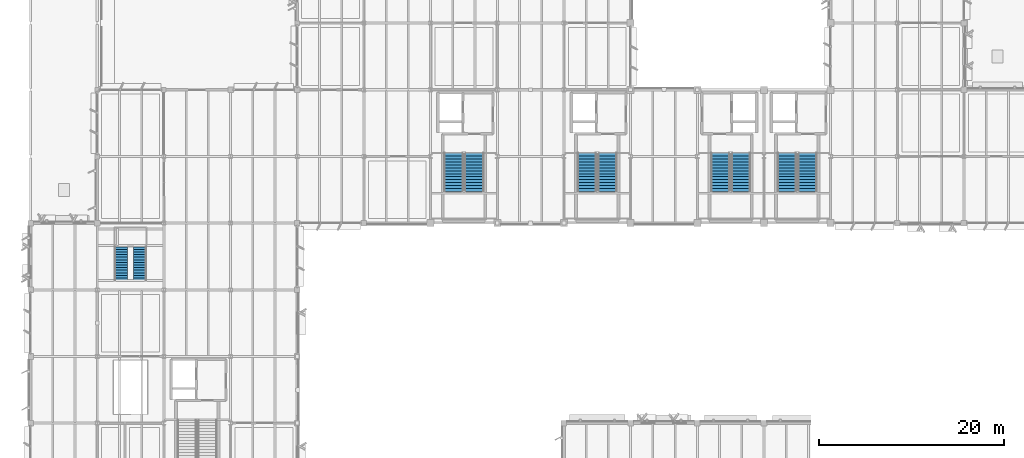
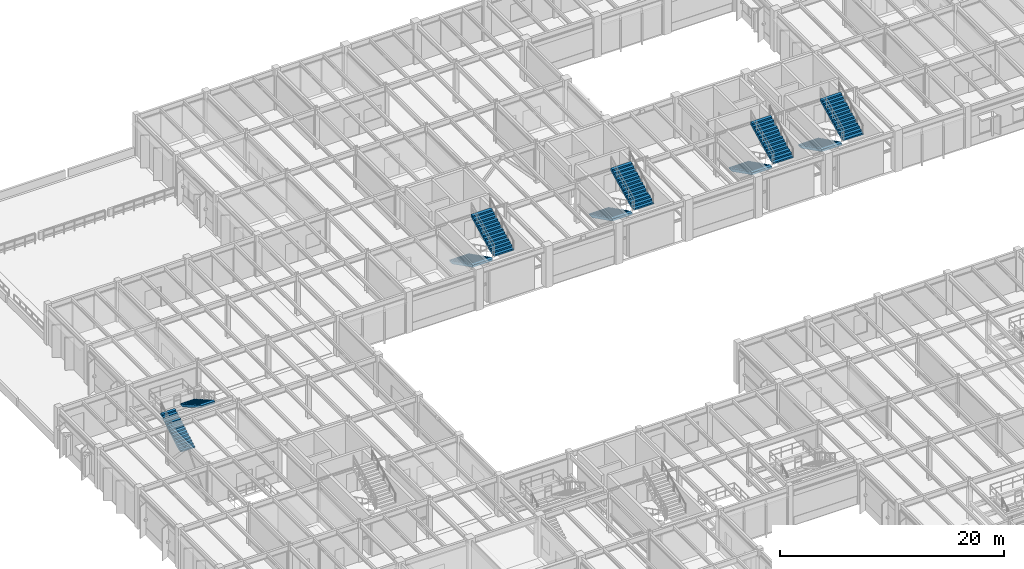
# One storey, part 44 of 92: 10 stair flights, 5 elements without a shape of their own.
"""IFC4 building model written with IfcOpenShell, lengths in metres."""

from ifc_helpers import new_model, si_unit, direction, frame, origin, place, context, subcontext, project, spatial, polyline, outline, extrude, material, type_object, element, aggregate, save


model = new_model("IFC4")

# Units and contexts
model_context = context("Model", 3, precision=1e-05, world=origin(), true_north=direction((0.0, 1.0)))
body_context = subcontext(model_context, "Body", "Model", "MODEL_VIEW")
ifc_project = project(units=[si_unit("LENGTHUNIT", "METRE"), si_unit("AREAUNIT", "SQUARE_METRE"), si_unit("VOLUMEUNIT", "CUBIC_METRE"), si_unit("PLANEANGLEUNIT", "RADIAN"), si_unit("MASSUNIT", "GRAM", prefix="KILO")], contexts=[model_context])

# Site, building, storey
site_placement = place(None, origin())
site = spatial("IfcSite", under=ifc_project, at=site_placement, CompositionType="ELEMENT")
building_placement = place(site_placement, origin())
building = spatial("IfcBuilding", under=site, at=building_placement, Name="Sillqori Civic Hall", CompositionType="ELEMENT")
storey_placement = place(building_placement, frame((0.0, 0.0, 5.39990234375)))
storey = spatial("IfcBuildingStorey", under=building, at=storey_placement, Name="L02", CompositionType="ELEMENT", Elevation=5.39990234375)

# Stair, stair flights
ifc_material_1 = material(Name="Concrete C35/45 (H35)", Category="concrete")
stair_type_1 = type_object("IfcStairType", Name="STR-CORE-05", PredefinedType="DOUBLE_RETURN_STAIR", material=ifc_material_1)
stair_1_placement = place(storey_placement, origin())
stair_1 = element("IfcStair", 1, at=stair_1_placement, inside=storey, type_object=stair_type_1, Name="L02 Core exit stair ST-05", PredefinedType="DOUBLE_RETURN_STAIR")
stair_flight_type_1 = type_object("IfcStairFlightType", Name="SFL-CORE-220", PredefinedType="STRAIGHT", material=ifc_material_1)
stair_flight_1_placement = place(storey_placement, frame((52.889892578125, 86.77001953125, 0.0), z_axis=(0.0, 0.0, 1.0), x_axis=(0.0, -1.0, 0.0)))
stair_flight_1 = element("IfcStairFlight", 2, at=stair_flight_1_placement, type_object=stair_flight_type_1, Name="ST-05 flight 1", NumberOfRisers=14, NumberOfTreads=13, PredefinedType="STRAIGHT", RiserHeight=0.160714286, TreadLength=0.32, context=body_context, shape_type="SweptSolid", body=[
    extrude(outline(polyline([(0.0, 0.0), (0.0, 0.16064453125), (0.320068359375, 0.16064453125), (0.320068359375, 0.321533203125), (0.639892578125, 0.321533203125), (0.639892578125, 0.482177734375), (0.9599609375, 0.482177734375), (0.9599609375, 0.642822265625), (1.280029296875, 0.642822265625), (1.280029296875, 0.803466796875), (1.60009765625, 0.803466796875), (1.60009765625, 0.96435546875), (1.919921875, 0.96435546875), (1.919921875, 1.125), (2.239990234375, 1.125), (2.239990234375, 1.28564453125), (2.56005859375, 1.28564453125), (2.56005859375, 1.446533203125), (2.8798828125, 1.446533203125), (2.8798828125, 1.607177734375), (3.199951171875, 1.607177734375), (3.199951171875, 1.767822265625), (3.52001953125, 1.767822265625), (3.52001953125, 1.928466796875), (3.840087890625, 1.928466796875), (3.840087890625, 2.08935546875), (4.159912109375, 2.08935546875), (4.159912109375, 2.25), (4.159912109375, 1.843017578125), (0.490234375, 0.0), (0.0, 0.0)])), frame((0.0, 1.030029296875, 0.0), z_axis=(0.0, -1.0, 0.0), x_axis=(1.0, 0.0, 0.0)), (0.0, 0.0, 1.0), 2.06005859375),
])
stair_flight_2_placement = place(storey_placement, frame((55.110107421875, 82.610107421875, 2.25), z_axis=(0.0, 0.0, 1.0), x_axis=(0.0, 1.0, 0.0)))
stair_flight_2 = element("IfcStairFlight", 3, at=stair_flight_2_placement, type_object=stair_flight_type_1, Name="ST-05 flight 2", NumberOfRisers=14, NumberOfTreads=13, PredefinedType="STRAIGHT", RiserHeight=0.160714286, TreadLength=0.32, context=body_context, shape_type="SweptSolid", body=[
    extrude(outline(polyline([(0.0, 0.0), (0.0, 0.16064453125), (0.320068359375, 0.16064453125), (0.320068359375, 0.321533203125), (0.639892578125, 0.321533203125), (0.639892578125, 0.482177734375), (0.9599609375, 0.482177734375), (0.9599609375, 0.642822265625), (1.280029296875, 0.642822265625), (1.280029296875, 0.803466796875), (1.60009765625, 0.803466796875), (1.60009765625, 0.96435546875), (1.919921875, 0.96435546875), (1.919921875, 1.125), (2.239990234375, 1.125), (2.239990234375, 1.28564453125), (2.56005859375, 1.28564453125), (2.56005859375, 1.446533203125), (2.8798828125, 1.446533203125), (2.8798828125, 1.607177734375), (3.199951171875, 1.607177734375), (3.199951171875, 1.767822265625), (3.52001953125, 1.767822265625), (3.52001953125, 1.928466796875), (3.840087890625, 1.928466796875), (3.840087890625, 2.08935546875), (4.159912109375, 2.08935546875), (4.159912109375, 2.25), (4.159912109375, 1.843017578125), (0.490234375, 0.0), (0.0, 0.0)])), frame((0.0, 1.030029296875, 0.0), z_axis=(0.0, -1.0, 0.0), x_axis=(1.0, 0.0, 0.0)), (0.0, 0.0, 1.0), 2.06005859375),
])
aggregate(stair_1, [stair_flight_1, stair_flight_2])

stair_type_2 = type_object("IfcStairType", Name="STR-CORE-06", PredefinedType="DOUBLE_RETURN_STAIR", material=ifc_material_1)
stair_2_placement = place(storey_placement, origin())
stair_2 = element("IfcStair", 4, at=stair_2_placement, inside=storey, type_object=stair_type_2, Name="L02 Core exit stair ST-06", PredefinedType="DOUBLE_RETURN_STAIR")
stair_flight_3_placement = place(storey_placement, frame((67.2900390625, 86.77001953125, 0.0), z_axis=(0.0, 0.0, 1.0), x_axis=(0.0, -1.0, 0.0)))
stair_flight_3 = element("IfcStairFlight", 5, at=stair_flight_3_placement, type_object=stair_flight_type_1, Name="ST-06 flight 1", NumberOfRisers=14, NumberOfTreads=13, PredefinedType="STRAIGHT", RiserHeight=0.160714286, TreadLength=0.32, context=body_context, shape_type="SweptSolid", body=[
    extrude(outline(polyline([(0.0, 0.0), (0.0, 0.16064453125), (0.320068359375, 0.16064453125), (0.320068359375, 0.321533203125), (0.639892578125, 0.321533203125), (0.639892578125, 0.482177734375), (0.9599609375, 0.482177734375), (0.9599609375, 0.642822265625), (1.280029296875, 0.642822265625), (1.280029296875, 0.803466796875), (1.60009765625, 0.803466796875), (1.60009765625, 0.96435546875), (1.919921875, 0.96435546875), (1.919921875, 1.125), (2.239990234375, 1.125), (2.239990234375, 1.28564453125), (2.56005859375, 1.28564453125), (2.56005859375, 1.446533203125), (2.8798828125, 1.446533203125), (2.8798828125, 1.607177734375), (3.199951171875, 1.607177734375), (3.199951171875, 1.767822265625), (3.52001953125, 1.767822265625), (3.52001953125, 1.928466796875), (3.840087890625, 1.928466796875), (3.840087890625, 2.08935546875), (4.159912109375, 2.08935546875), (4.159912109375, 2.25), (4.159912109375, 1.843017578125), (0.490234375, 0.0), (0.0, 0.0)])), frame((0.0, 1.030029296875, 0.0), z_axis=(0.0, -1.0, 0.0), x_axis=(1.0, 0.0, 0.0)), (0.0, 0.0, 1.0), 2.06005859375),
])
stair_flight_4_placement = place(storey_placement, frame((69.510009765625, 82.610107421875, 2.25), z_axis=(0.0, 0.0, 1.0), x_axis=(0.0, 1.0, 0.0)))
stair_flight_4 = element("IfcStairFlight", 6, at=stair_flight_4_placement, type_object=stair_flight_type_1, Name="ST-06 flight 2", NumberOfRisers=14, NumberOfTreads=13, PredefinedType="STRAIGHT", RiserHeight=0.160714286, TreadLength=0.32, context=body_context, shape_type="SweptSolid", body=[
    extrude(outline(polyline([(0.0, 0.0), (0.0, 0.16064453125), (0.320068359375, 0.16064453125), (0.320068359375, 0.321533203125), (0.639892578125, 0.321533203125), (0.639892578125, 0.482177734375), (0.9599609375, 0.482177734375), (0.9599609375, 0.642822265625), (1.280029296875, 0.642822265625), (1.280029296875, 0.803466796875), (1.60009765625, 0.803466796875), (1.60009765625, 0.96435546875), (1.919921875, 0.96435546875), (1.919921875, 1.125), (2.239990234375, 1.125), (2.239990234375, 1.28564453125), (2.56005859375, 1.28564453125), (2.56005859375, 1.446533203125), (2.8798828125, 1.446533203125), (2.8798828125, 1.607177734375), (3.199951171875, 1.607177734375), (3.199951171875, 1.767822265625), (3.52001953125, 1.767822265625), (3.52001953125, 1.928466796875), (3.840087890625, 1.928466796875), (3.840087890625, 2.08935546875), (4.159912109375, 2.08935546875), (4.159912109375, 2.25), (4.159912109375, 1.843017578125), (0.490234375, 0.0), (0.0, 0.0)])), frame((0.0, 1.030029296875, 0.0), z_axis=(0.0, -1.0, 0.0), x_axis=(1.0, 0.0, 0.0)), (0.0, 0.0, 1.0), 2.06005859375),
])
aggregate(stair_2, [stair_flight_3, stair_flight_4])

stair_type_3 = type_object("IfcStairType", Name="STR-CORE-07", PredefinedType="DOUBLE_RETURN_STAIR", material=ifc_material_1)
stair_3_placement = place(storey_placement, origin())
stair_3 = element("IfcStair", 7, at=stair_3_placement, inside=storey, type_object=stair_type_3, Name="L02 Core exit stair ST-07", PredefinedType="DOUBLE_RETURN_STAIR")
stair_flight_5_placement = place(storey_placement, frame((81.68994140625, 86.77001953125, 0.0), z_axis=(0.0, 0.0, 1.0), x_axis=(0.0, -1.0, 0.0)))
stair_flight_5 = element("IfcStairFlight", 8, at=stair_flight_5_placement, type_object=stair_flight_type_1, Name="ST-07 flight 1", NumberOfRisers=14, NumberOfTreads=13, PredefinedType="STRAIGHT", RiserHeight=0.160714286, TreadLength=0.32, context=body_context, shape_type="SweptSolid", body=[
    extrude(outline(polyline([(0.0, 0.0), (0.0, 0.16064453125), (0.320068359375, 0.16064453125), (0.320068359375, 0.321533203125), (0.639892578125, 0.321533203125), (0.639892578125, 0.482177734375), (0.9599609375, 0.482177734375), (0.9599609375, 0.642822265625), (1.280029296875, 0.642822265625), (1.280029296875, 0.803466796875), (1.60009765625, 0.803466796875), (1.60009765625, 0.96435546875), (1.919921875, 0.96435546875), (1.919921875, 1.125), (2.239990234375, 1.125), (2.239990234375, 1.28564453125), (2.56005859375, 1.28564453125), (2.56005859375, 1.446533203125), (2.8798828125, 1.446533203125), (2.8798828125, 1.607177734375), (3.199951171875, 1.607177734375), (3.199951171875, 1.767822265625), (3.52001953125, 1.767822265625), (3.52001953125, 1.928466796875), (3.840087890625, 1.928466796875), (3.840087890625, 2.08935546875), (4.159912109375, 2.08935546875), (4.159912109375, 2.25), (4.159912109375, 1.843017578125), (0.490234375, 0.0), (0.0, 0.0)])), frame((0.0, 1.030029296875, 0.0), z_axis=(0.0, -1.0, 0.0), x_axis=(1.0, 0.0, 0.0)), (0.0, 0.0, 1.0), 2.06005859375),
])
stair_flight_6_placement = place(storey_placement, frame((83.909912109375, 82.610107421875, 2.25), z_axis=(0.0, 0.0, 1.0), x_axis=(0.0, 1.0, 0.0)))
stair_flight_6 = element("IfcStairFlight", 9, at=stair_flight_6_placement, type_object=stair_flight_type_1, Name="ST-07 flight 2", NumberOfRisers=14, NumberOfTreads=13, PredefinedType="STRAIGHT", RiserHeight=0.160714286, TreadLength=0.32, context=body_context, shape_type="SweptSolid", body=[
    extrude(outline(polyline([(0.0, 0.0), (0.0, 0.16064453125), (0.320068359375, 0.16064453125), (0.320068359375, 0.321533203125), (0.639892578125, 0.321533203125), (0.639892578125, 0.482177734375), (0.9599609375, 0.482177734375), (0.9599609375, 0.642822265625), (1.280029296875, 0.642822265625), (1.280029296875, 0.803466796875), (1.60009765625, 0.803466796875), (1.60009765625, 0.96435546875), (1.919921875, 0.96435546875), (1.919921875, 1.125), (2.239990234375, 1.125), (2.239990234375, 1.28564453125), (2.56005859375, 1.28564453125), (2.56005859375, 1.446533203125), (2.8798828125, 1.446533203125), (2.8798828125, 1.607177734375), (3.199951171875, 1.607177734375), (3.199951171875, 1.767822265625), (3.52001953125, 1.767822265625), (3.52001953125, 1.928466796875), (3.840087890625, 1.928466796875), (3.840087890625, 2.08935546875), (4.159912109375, 2.08935546875), (4.159912109375, 2.25), (4.159912109375, 1.843017578125), (0.490234375, 0.0), (0.0, 0.0)])), frame((0.0, 1.030029296875, 0.0), z_axis=(0.0, -1.0, 0.0), x_axis=(1.0, 0.0, 0.0)), (0.0, 0.0, 1.0), 2.06005859375),
])
aggregate(stair_3, [stair_flight_5, stair_flight_6])

stair_type_4 = type_object("IfcStairType", Name="STR-CORE-08", PredefinedType="DOUBLE_RETURN_STAIR", material=ifc_material_1)
stair_4_placement = place(storey_placement, origin())
stair_4 = element("IfcStair", 10, at=stair_4_placement, inside=storey, type_object=stair_type_4, Name="L02 Core exit stair ST-08", PredefinedType="DOUBLE_RETURN_STAIR")
stair_flight_7_placement = place(storey_placement, frame((88.889892578125, 86.77001953125, 0.0), z_axis=(0.0, 0.0, 1.0), x_axis=(0.0, -1.0, 0.0)))
stair_flight_7 = element("IfcStairFlight", 11, at=stair_flight_7_placement, type_object=stair_flight_type_1, Name="ST-08 flight 1", NumberOfRisers=14, NumberOfTreads=13, PredefinedType="STRAIGHT", RiserHeight=0.160714286, TreadLength=0.32, context=body_context, shape_type="SweptSolid", body=[
    extrude(outline(polyline([(0.0, 0.0), (0.0, 0.16064453125), (0.320068359375, 0.16064453125), (0.320068359375, 0.321533203125), (0.639892578125, 0.321533203125), (0.639892578125, 0.482177734375), (0.9599609375, 0.482177734375), (0.9599609375, 0.642822265625), (1.280029296875, 0.642822265625), (1.280029296875, 0.803466796875), (1.60009765625, 0.803466796875), (1.60009765625, 0.96435546875), (1.919921875, 0.96435546875), (1.919921875, 1.125), (2.239990234375, 1.125), (2.239990234375, 1.28564453125), (2.56005859375, 1.28564453125), (2.56005859375, 1.446533203125), (2.8798828125, 1.446533203125), (2.8798828125, 1.607177734375), (3.199951171875, 1.607177734375), (3.199951171875, 1.767822265625), (3.52001953125, 1.767822265625), (3.52001953125, 1.928466796875), (3.840087890625, 1.928466796875), (3.840087890625, 2.08935546875), (4.159912109375, 2.08935546875), (4.159912109375, 2.25), (4.159912109375, 1.843017578125), (0.490234375, 0.0), (0.0, 0.0)])), frame((0.0, 1.030029296875, 0.0), z_axis=(0.0, -1.0, 0.0), x_axis=(1.0, 0.0, 0.0)), (0.0, 0.0, 1.0), 2.06005859375),
])
stair_flight_8_placement = place(storey_placement, frame((91.110107421875, 82.610107421875, 2.25), z_axis=(0.0, 0.0, 1.0), x_axis=(0.0, 1.0, 0.0)))
stair_flight_8 = element("IfcStairFlight", 12, at=stair_flight_8_placement, type_object=stair_flight_type_1, Name="ST-08 flight 2", NumberOfRisers=14, NumberOfTreads=13, PredefinedType="STRAIGHT", RiserHeight=0.160714286, TreadLength=0.32, context=body_context, shape_type="SweptSolid", body=[
    extrude(outline(polyline([(0.0, 0.0), (0.0, 0.16064453125), (0.320068359375, 0.16064453125), (0.320068359375, 0.321533203125), (0.639892578125, 0.321533203125), (0.639892578125, 0.482177734375), (0.9599609375, 0.482177734375), (0.9599609375, 0.642822265625), (1.280029296875, 0.642822265625), (1.280029296875, 0.803466796875), (1.60009765625, 0.803466796875), (1.60009765625, 0.96435546875), (1.919921875, 0.96435546875), (1.919921875, 1.125), (2.239990234375, 1.125), (2.239990234375, 1.28564453125), (2.56005859375, 1.28564453125), (2.56005859375, 1.446533203125), (2.8798828125, 1.446533203125), (2.8798828125, 1.607177734375), (3.199951171875, 1.607177734375), (3.199951171875, 1.767822265625), (3.52001953125, 1.767822265625), (3.52001953125, 1.928466796875), (3.840087890625, 1.928466796875), (3.840087890625, 2.08935546875), (4.159912109375, 2.08935546875), (4.159912109375, 2.25), (4.159912109375, 1.843017578125), (0.490234375, 0.0), (0.0, 0.0)])), frame((0.0, 1.030029296875, 0.0), z_axis=(0.0, -1.0, 0.0), x_axis=(1.0, 0.0, 0.0)), (0.0, 0.0, 1.0), 2.06005859375),
])
aggregate(stair_4, [stair_flight_7, stair_flight_8])

ifc_material_2 = material(Name="Steel ASTM A992 and Honed Limestone Treads", Category="masonry")
stair_type_5 = type_object("IfcStairType", Name="STR-MON-450", PredefinedType="STRAIGHT_RUN_STAIR", material=ifc_material_2)
stair_5_placement = place(storey_placement, origin())
stair_5 = element("IfcStair", 13, at=stair_5_placement, inside=storey, type_object=stair_type_5, Name="West Committee Upper Stair L02-L03", PredefinedType="STRAIGHT_RUN_STAIR")
stair_flight_type_2 = type_object("IfcStairFlightType", Name="SFL-MON-165", PredefinedType="STRAIGHT", material=ifc_material_1)
stair_flight_9_placement = place(storey_placement, frame((16.965087890625, 73.0, 0.0), z_axis=(0.0, 0.0, 1.0), x_axis=(0.0, 1.0, 0.0)))
stair_flight_9 = element("IfcStairFlight", 14, at=stair_flight_9_placement, type_object=stair_flight_type_2, Name="MS-14 flight 1", NumberOfRisers=14, NumberOfTreads=13, PredefinedType="STRAIGHT", RiserHeight=0.160714, TreadLength=0.28, context=body_context, shape_type="SweptSolid", body=[
    extrude(outline(polyline([(0.0, 0.0), (0.0, 0.16064453125), (0.280029296875, 0.16064453125), (0.280029296875, 0.321533203125), (0.56005859375, 0.321533203125), (0.56005859375, 0.482177734375), (0.840087890625, 0.482177734375), (0.840087890625, 0.642822265625), (1.1201171875, 0.642822265625), (1.1201171875, 0.803466796875), (1.39990234375, 0.803466796875), (1.39990234375, 0.96435546875), (1.679931640625, 0.96435546875), (1.679931640625, 1.125), (1.9599609375, 1.125), (1.9599609375, 1.28564453125), (2.239990234375, 1.28564453125), (2.239990234375, 1.446533203125), (2.52001953125, 1.446533203125), (2.52001953125, 1.607177734375), (2.800048828125, 1.607177734375), (2.800048828125, 1.767822265625), (3.080078125, 1.767822265625), (3.080078125, 1.928466796875), (3.360107421875, 1.928466796875), (3.360107421875, 2.08935546875), (3.639892578125, 2.08935546875), (3.639892578125, 2.25), (3.639892578125, 1.858642578125), (0.401611328125, 0.0), (0.0, 0.0)])), frame((0.0, 0.72509765625, 0.0), z_axis=(0.0, -1.0, 0.0), x_axis=(1.0, 0.0, 0.0)), (0.0, 0.0, 1.0), 1.449951171875),
])
stair_flight_10_placement = place(storey_placement, frame((19.034912109375, 76.639892578125, 2.25), z_axis=(0.0, 0.0, 1.0), x_axis=(0.0, -1.0, 0.0)))
stair_flight_10 = element("IfcStairFlight", 15, at=stair_flight_10_placement, type_object=stair_flight_type_2, Name="MS-14 flight 2", NumberOfRisers=14, NumberOfTreads=13, PredefinedType="STRAIGHT", RiserHeight=0.160714, TreadLength=0.28, context=body_context, shape_type="SweptSolid", body=[
    extrude(outline(polyline([(0.0, 0.0), (0.0, 0.16064453125), (0.280029296875, 0.16064453125), (0.280029296875, 0.321533203125), (0.56005859375, 0.321533203125), (0.56005859375, 0.482177734375), (0.840087890625, 0.482177734375), (0.840087890625, 0.642822265625), (1.1201171875, 0.642822265625), (1.1201171875, 0.803466796875), (1.39990234375, 0.803466796875), (1.39990234375, 0.96435546875), (1.679931640625, 0.96435546875), (1.679931640625, 1.125), (1.9599609375, 1.125), (1.9599609375, 1.28564453125), (2.239990234375, 1.28564453125), (2.239990234375, 1.446533203125), (2.52001953125, 1.446533203125), (2.52001953125, 1.607177734375), (2.800048828125, 1.607177734375), (2.800048828125, 1.767822265625), (3.080078125, 1.767822265625), (3.080078125, 1.928466796875), (3.360107421875, 1.928466796875), (3.360107421875, 2.08935546875), (3.639892578125, 2.08935546875), (3.639892578125, 2.25), (3.639892578125, 1.858642578125), (0.401611328125, 0.0), (0.0, 0.0)])), frame((0.0, 0.72509765625, 0.0), z_axis=(0.0, -1.0, 0.0), x_axis=(1.0, 0.0, 0.0)), (0.0, 0.0, 1.0), 1.449951171875),
])
aggregate(stair_5, [stair_flight_9, stair_flight_10])

save(model, "model.ifc")
